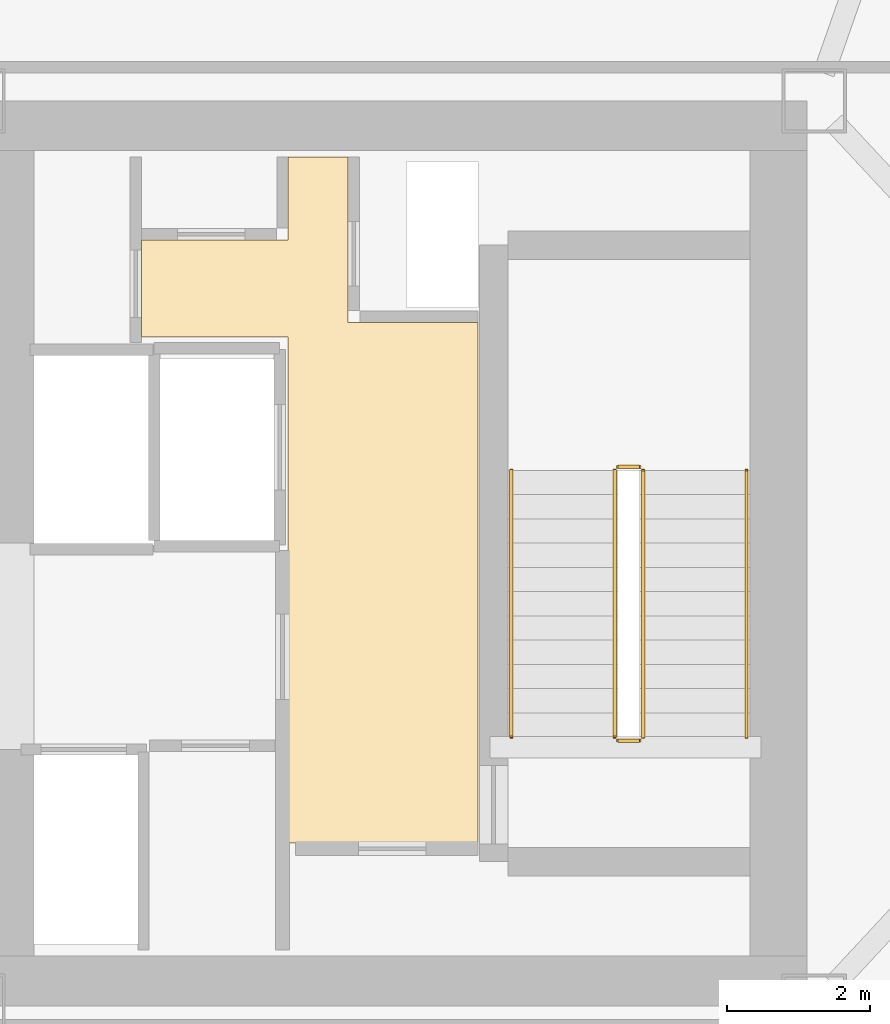
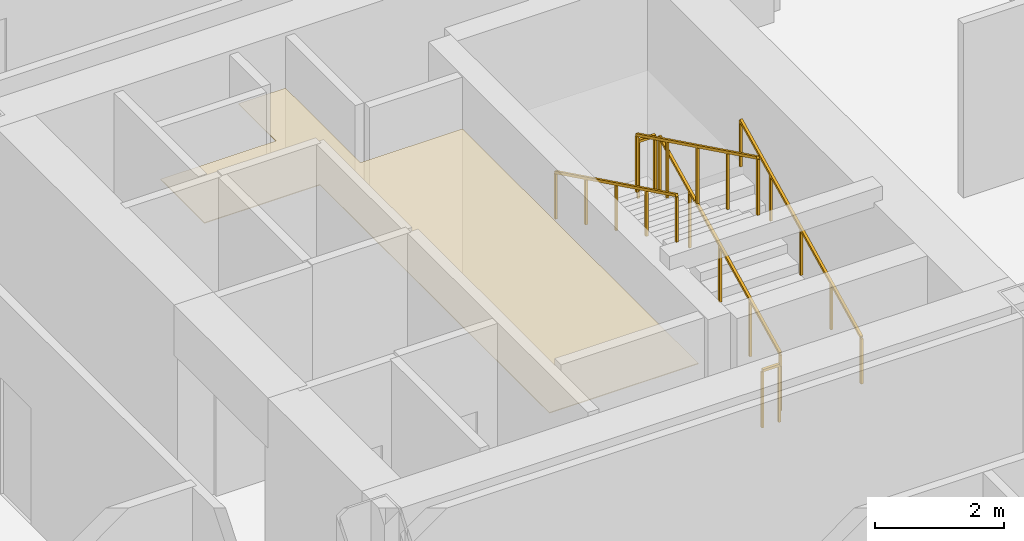
# One storey, part 19 of 19: 6 railings, 1 covering.
"""IFC4 building model written with IfcOpenShell, lengths in metres."""

import ifcopenshell
import ifcopenshell.guid

model = None  # the IFC model being written
_history = None  # IfcOwnerHistory: only IFC2X3 demands one
_inside = {}  # id of a spatial element -> (the spatial element, [elements in it])
_under = {}  # id of a project, library or spatial element -> (it, [spatial elements below it])
_declared = {}  # id of a project -> (the project, [libraries it declares])
_typed = {}  # id of a type object -> (the type object, [elements of that type])
_made_of = {}  # id of a material, layer set ... -> (it, [elements and type objects made of it])


def new_model(schema):
    """Start an empty IFC model of exactly this schema.

    Asked for "IFC4X3", IfcOpenShell would pick the latest addendum, in which some entities
    have other attributes; the version numbers below select the first issue.
    IFC2X3 requires an IfcOwnerHistory on every rooted entity: one is made here for all.
    """
    global model, _history
    if schema == "IFC4X3":
        model = ifcopenshell.file(schema_version=(4, 3, 0, 0))
    else:
        model = ifcopenshell.file(schema=schema)
    _inside.clear()
    _under.clear()
    _declared.clear()
    _typed.clear()
    _made_of.clear()
    _history = None
    if model.schema == "IFC2X3":
        org = make("IfcOrganization", Name="unknown")
        user = make(
            "IfcPersonAndOrganization",
            ThePerson=make("IfcPerson", FamilyName="unknown"),
            TheOrganization=org,
        )
        app = make(
            "IfcApplication",
            ApplicationDeveloper=org,
            Version="unknown",
            ApplicationFullName="unknown",
            ApplicationIdentifier="unknown",
        )
        _history = make(
            "IfcOwnerHistory",
            OwningUser=user,
            OwningApplication=app,
            ChangeAction="ADDED",
            CreationDate=0,
        )
    return model


def make(cls, **values):
    """One entity of the class cls with the attributes given. An attribute that is None is left unset."""
    return model.create_entity(
        cls, **{name: value for name, value in values.items() if value is not None}
    )


def rooted(cls, **values):
    """An entity with a GlobalId (a new one), such as an element, a storey or a relation."""
    return make(cls, GlobalId=ifcopenshell.guid.new(), OwnerHistory=_history, **values)


def si_unit(unit_type, name, prefix=None):
    """IfcSIUnit, for example si_unit("LENGTHUNIT", "METRE", prefix="MILLI")."""
    return make("IfcSIUnit", UnitType=unit_type, Prefix=prefix, Name=name)


def assignment(units):
    """IfcUnitAssignment: the units of a project."""
    return None if units is None else make("IfcUnitAssignment", Units=units)


def point(xyz):
    """IfcCartesianPoint."""
    return None if xyz is None else make("IfcCartesianPoint", Coordinates=xyz)


def direction(xyz):
    """IfcDirection."""
    return None if xyz is None else make("IfcDirection", DirectionRatios=xyz)


def frame(location, z_axis=None, x_axis=None):
    """IfcAxis2Placement3D, a coordinate frame: its origin and axes. An axis left out is left unset."""
    return make(
        "IfcAxis2Placement3D",
        Location=point(location),
        Axis=direction(z_axis),
        RefDirection=direction(x_axis),
    )


def frame_2d(location, x_axis=None):
    """IfcAxis2Placement2D, a coordinate frame in the plane: its origin and x axis."""
    return make(
        "IfcAxis2Placement2D", Location=point(location), RefDirection=direction(x_axis)
    )


def origin():
    """The frame at (0, 0, 0) with its axes left unset."""
    return frame((0.0, 0.0, 0.0))


def origin_2d():
    """The frame at (0, 0) in the plane with its x axis left unset."""
    return frame_2d((0.0, 0.0))


def place(relative_to, where):
    """IfcLocalPlacement: puts the frame where relative to a parent placement (None: the world)."""
    return make(
        "IfcLocalPlacement", PlacementRelTo=relative_to, RelativePlacement=where
    )


def context(
    kind, dimensions, precision=None, world=None, true_north=None, identifier=None
):
    """IfcGeometricRepresentationContext, for example the 3D "Model" context."""
    return make(
        "IfcGeometricRepresentationContext",
        ContextIdentifier=identifier,
        ContextType=kind,
        CoordinateSpaceDimension=dimensions,
        Precision=precision,
        WorldCoordinateSystem=world,
        TrueNorth=true_north,
    )


def subcontext(parent, identifier, kind, view, scale=None):
    """IfcGeometricRepresentationSubContext, for example "Body" below "Model"."""
    return make(
        "IfcGeometricRepresentationSubContext",
        ContextIdentifier=identifier,
        ContextType=kind,
        ParentContext=parent,
        TargetScale=scale,
        TargetView=view,
    )


def project(units=None, contexts=None):
    """IfcProject with its units and contexts."""
    return rooted(
        "IfcProject",
        Name="project",
        RepresentationContexts=contexts,
        UnitsInContext=assignment(units),
    )


def spatial(cls, under=None, at=None, **own):
    """A site, building, storey or space (cls), placed at a placement, below another one or the project."""
    s = rooted(cls, ObjectPlacement=at, **own)
    if under is not None:
        _under.setdefault(under.id(), (under, []))[1].append(s)
    return s


def polyline(points):
    """IfcPolyline through the points."""
    return make("IfcPolyline", Points=[point(p) for p in points])


def profile(cls, at=None, kind="AREA", **sizes):
    """A parametric profile (cls). Its sizes go by their IFC names, for example OverallWidth=200.0."""
    return make(cls, ProfileType=kind, Position=at, **sizes)


def rectangle(**sizes):
    """IfcRectangleProfileDef."""
    return profile("IfcRectangleProfileDef", **sizes)


def outline(outer, holes=None, kind="AREA"):
    """IfcArbitraryClosedProfileDef: a profile drawn as a closed curve; with holes, ...WithVoids."""
    if holes is None:
        return make("IfcArbitraryClosedProfileDef", ProfileType=kind, OuterCurve=outer)
    return make(
        "IfcArbitraryProfileDefWithVoids",
        ProfileType=kind,
        OuterCurve=outer,
        InnerCurves=holes,
    )


def extrude(swept, where, along, depth):
    """IfcExtrudedAreaSolid: the profile swept, set in the frame where, extruded along a direction by depth."""
    return make(
        "IfcExtrudedAreaSolid",
        SweptArea=swept,
        Position=where,
        ExtrudedDirection=direction(along),
        Depth=depth,
    )


def shape(context_of_items, identifier, shape_type, items):
    """IfcShapeRepresentation: the items that make up one representation, for example the "Body"."""
    return make(
        "IfcShapeRepresentation",
        ContextOfItems=context_of_items,
        RepresentationIdentifier=identifier,
        RepresentationType=shape_type,
        Items=items,
    )


def material(Name=None, Category=None):
    """IfcMaterial."""
    return make("IfcMaterial", Name=Name, Category=Category)


def layer(
    of_material, thickness, ventilated=None, Name=None, Category=None, Priority=None
):
    """IfcMaterialLayer: one layer of a wall or slab, of a material (None: an air gap)."""
    return make(
        "IfcMaterialLayer",
        Material=of_material,
        LayerThickness=thickness,
        IsVentilated=ventilated,
        Name=Name,
        Category=Category,
        Priority=Priority,
    )


def layer_set(layers, Name=None):
    """IfcMaterialLayerSet."""
    return make("IfcMaterialLayerSet", MaterialLayers=layers, LayerSetName=Name)


def made_of(thing, what):
    """Note that an element or type object is made of a material, layer set ...; save() writes the relation."""
    if what is not None:
        _made_of.setdefault(what.id(), (what, []))[1].append(thing)
    return thing


def type_object(cls, material=None, **own):
    """A type object (cls), such as IfcWallType, which elements share."""
    return made_of(rooted(cls, **own), material)


def element(
    cls,
    number,
    at=None,
    inside=None,
    cuts=None,
    type_object=None,
    material=None,
    context=None,
    identifier="Body",
    shape_type=None,
    held_by="IfcProductDefinitionShape",
    body=None,
    shapes=None,
    **own,
):
    """One element of the class cls, such as IfcWall. Its Tag is "e" and its number.

    at: its placement. inside: the storey or other place that contains it. cuts: it is an
    opening in that element (IfcRelVoidsElement). A single representation is given by context,
    identifier, shape_type and body (its items); several are given by shapes. held_by: the class
    of the entity that holds the representations. save() writes the other relations.
    """
    e = rooted(cls, Tag="e%d" % number, ObjectPlacement=at, **own)
    if body is not None:
        shapes = [shape(context, identifier, shape_type, body)]
    if shapes is not None:
        e.Representation = make(held_by, Representations=shapes)
    if inside is not None:
        _inside.setdefault(inside.id(), (inside, []))[1].append(e)
    if cuts is not None:
        rooted(
            "IfcRelVoidsElement", RelatingBuildingElement=cuts, RelatedOpeningElement=e
        )
    if type_object is not None:
        _typed.setdefault(type_object.id(), (type_object, []))[1].append(e)
    return made_of(e, material)


def aggregate(whole, parts):
    """IfcRelAggregates: a whole, such as a stair, and the parts it consists of."""
    return rooted("IfcRelAggregates", RelatingObject=whole, RelatedObjects=parts)


def save(model, path):
    """Write the relations noted so far, then the file.

    IfcRelAggregates (storeys below a building ...), IfcRelContainedInSpatialStructure (elements
    in a storey), IfcRelDefinesByType, IfcRelAssociatesMaterial and IfcRelDeclares: one each for
    every whole, place, type object, material and project.
    """
    for whole, parts in _under.values():
        aggregate(whole, parts)
    for where, things in _inside.values():
        rooted(
            "IfcRelContainedInSpatialStructure",
            RelatedElements=things,
            RelatingStructure=where,
        )
    for kind, things in _typed.values():
        rooted("IfcRelDefinesByType", RelatedObjects=things, RelatingType=kind)
    for what, things in _made_of.values():
        rooted("IfcRelAssociatesMaterial", RelatedObjects=things, RelatingMaterial=what)
    for by, libraries in _declared.values():
        rooted("IfcRelDeclares", RelatingContext=by, RelatedDefinitions=libraries)
    model.write(path)


model = new_model("IFC4")

# Units and contexts
model_context = context("Model", 3, precision=1e-05, world=origin(), true_north=direction((0.0, 1.0)))
body_context = subcontext(model_context, "Body", "Model", "MODEL_VIEW")
ifc_project = project(units=[si_unit("LENGTHUNIT", "METRE"), si_unit("AREAUNIT", "SQUARE_METRE"), si_unit("VOLUMEUNIT", "CUBIC_METRE"), si_unit("PLANEANGLEUNIT", "RADIAN"), si_unit("MASSUNIT", "GRAM", prefix="KILO")], contexts=[model_context])

# Site, building, storey
site_placement = place(None, origin())
site = spatial("IfcSite", under=ifc_project, at=site_placement, CompositionType="ELEMENT")
building_placement = place(site_placement, origin())
building = spatial("IfcBuilding", under=site, at=building_placement, Name="Tavrogorsk Clinical Tower", CompositionType="ELEMENT")
storey_placement = place(building_placement, frame((0.0, 0.0, 188.199951171875)))
storey = spatial("IfcBuildingStorey", under=building, at=storey_placement, Name="L43", CompositionType="ELEMENT", Elevation=188.199951171875)

# Covering
ifc_material_1 = material(Name="Antibacterial micro-perforated aluminium ceiling", Category="aluminium")
ifc_layer_1 = layer(ifc_material_1, 0.014892578125)
ifc_layer_set_1 = layer_set([ifc_layer_1], Name="Antibacterial micro-perforated aluminium ceiling")
covering_type = type_object("IfcCoveringType", Name="ClinicalCeiling_15", PredefinedType="CEILING", material=ifc_layer_set_1)
covering_placement = place(storey_placement, frame((0.0, 0.0, 2.75)))
element("IfcCovering", 1, at=covering_placement, inside=storey, type_object=covering_type, Name="Core East Firefighting Lift Lobby Acoustic Ceiling", PredefinedType="CEILING", context=body_context, shape_type="SweptSolid", body=[
    extrude(outline(polyline([(14.719970703125, 3.0400390625), (12.659912109375, 3.0400390625), (12.659912109375, 4.39990234375), (14.719970703125, 4.39990234375), (14.719970703125, 5.56005859375), (15.56005859375, 5.56005859375), (15.56005859375, 3.239990234375), (17.3798828125, 3.239990234375), (17.3798828125, -4.06005859375), (14.719970703125, -4.06005859375), (14.719970703125, 3.0400390625)])), origin(), (0.0, 0.0, 1.0), 0.01513671875),
])

# Railings
ifc_material_2 = material(Name="Galvanised steel S355 safety stairwell guard", Category="steel")
ifc_layer_2 = layer(ifc_material_2, 0.06005859375)
ifc_layer_set_2 = layer_set([ifc_layer_2], Name="Galvanised steel S355 safety stairwell guard")
railing_type_1 = type_object("IfcRailingType", Name="StairGuard_1150", PredefinedType="GUARDRAIL", material=ifc_layer_set_2)
railing_1_placement = place(storey_placement, frame((19.699951171875, -2.574951171875, 0.166748046875)))
element("IfcRailing", 2, at=railing_1_placement, inside=storey, type_object=railing_type_1, Name="L43 ST-E stair guard 1", PredefinedType="GUARDRAIL", context=body_context, shape_type="SweptSolid", body=[
    extrude(rectangle(XDim=0.048095703125, YDim=0.048095703125, at=origin_2d()), frame((0.0, 0.0, 1.076171875), z_axis=(0.0, 0.897927990467, 0.440142390523), x_axis=(-1.0, 0.0, 0.0)), (0.0, 0.0, 1.0), 4.1650390625),
    extrude(rectangle(XDim=0.0419921875, YDim=0.0419921875, at=origin_2d()), origin(), (0.0, 0.0, 1.0), 1.052001953125),
    extrude(rectangle(XDim=0.0419921875, YDim=0.0419921875, at=origin_2d()), frame((0.0, 0.93505859375, 0.458251953125)), (0.0, 0.0, 1.0), 1.052001953125),
    extrude(rectangle(XDim=0.0419921875, YDim=0.0419921875, at=origin_2d()), frame((0.0, 1.8701171875, 0.91650390625)), (0.0, 0.0, 1.0), 1.052001953125),
    extrude(rectangle(XDim=0.0419921875, YDim=0.0419921875, at=origin_2d()), frame((0.0, 2.804931640625, 1.375)), (0.0, 0.0, 1.0), 1.052001953125),
    extrude(rectangle(XDim=0.0419921875, YDim=0.0419921875, at=origin_2d()), frame((0.0, 3.739990234375, 1.833251953125)), (0.0, 0.0, 1.0), 1.052001953125),
])
railing_2_placement = place(storey_placement, frame((19.64990234375, 1.215087890625, 2.0)))
element("IfcRailing", 3, at=railing_2_placement, inside=storey, type_object=railing_type_1, Name="L43 ST-E stair guard 2", PredefinedType="GUARDRAIL", context=body_context, shape_type="SweptSolid", body=[
    extrude(rectangle(XDim=0.048095703125, YDim=0.048095703125, at=origin_2d()), frame((0.0, 0.0, 1.076171875), z_axis=(-1.0, 0.0, 0.0), x_axis=(0.0, -1.0, 0.0)), (0.0, 0.0, 1.0), 0.2998046875),
    extrude(rectangle(XDim=0.0419921875, YDim=0.0419921875, at=origin_2d()), origin(), (0.0, 0.0, 1.0), 1.052001953125),
    extrude(rectangle(XDim=0.0419921875, YDim=0.0419921875, at=origin_2d()), frame((-0.2998046875, 0.0, 0.0)), (0.0, 0.0, 1.0), 1.052001953125),
])
railing_3_placement = place(storey_placement, frame((19.300048828125, 1.1650390625, 2.166748046875)))
element("IfcRailing", 4, at=railing_3_placement, inside=storey, type_object=railing_type_1, Name="L43 ST-E stair guard 3", PredefinedType="GUARDRAIL", context=body_context, shape_type="SweptSolid", body=[
    extrude(rectangle(XDim=0.048095703125, YDim=0.048095703125, at=origin_2d()), frame((0.0, 0.0, 1.076171875), z_axis=(0.0, -0.897927990467, 0.440142390523), x_axis=(1.0, 0.0, 0.0)), (0.0, 0.0, 1.0), 4.1650390625),
    extrude(rectangle(XDim=0.0419921875, YDim=0.0419921875, at=origin_2d()), origin(), (0.0, 0.0, 1.0), 1.052001953125),
    extrude(rectangle(XDim=0.0419921875, YDim=0.0419921875, at=origin_2d()), frame((0.0, -0.93505859375, 0.458251953125)), (0.0, 0.0, 1.0), 1.052001953125),
    extrude(rectangle(XDim=0.0419921875, YDim=0.0419921875, at=origin_2d()), frame((0.0, -1.8701171875, 0.91650390625)), (0.0, 0.0, 1.0), 1.052001953125),
    extrude(rectangle(XDim=0.0419921875, YDim=0.0419921875, at=origin_2d()), frame((0.0, -2.804931640625, 1.375)), (0.0, 0.0, 1.0), 1.052001953125),
    extrude(rectangle(XDim=0.0419921875, YDim=0.0419921875, at=origin_2d()), frame((0.0, -3.739990234375, 1.833251953125)), (0.0, 0.0, 1.0), 1.052001953125),
])
railing_4_placement = place(storey_placement, frame((19.64990234375, -2.625, 0.0)))
element("IfcRailing", 5, at=railing_4_placement, inside=storey, type_object=railing_type_1, Name="L43 ST-E stair guard 4", PredefinedType="GUARDRAIL", context=body_context, shape_type="SweptSolid", body=[
    extrude(rectangle(XDim=0.048095703125, YDim=0.048095703125, at=origin_2d()), frame((0.0, 0.0, 1.076171875), z_axis=(-1.0, 0.0, 0.0), x_axis=(0.0, -1.0, 0.0)), (0.0, 0.0, 1.0), 0.2998046875),
    extrude(rectangle(XDim=0.0419921875, YDim=0.0419921875, at=origin_2d()), origin(), (0.0, 0.0, 1.0), 1.052001953125),
    extrude(rectangle(XDim=0.0419921875, YDim=0.0419921875, at=origin_2d()), frame((-0.2998046875, 0.0, 0.0)), (0.0, 0.0, 1.0), 1.052001953125),
])
ifc_material_3 = material(Name="Stainless steel AISI 304 tubular handrail", Category="steel")
ifc_layer_3 = layer(ifc_material_3, 0.050048828125)
ifc_layer_set_3 = layer_set([ifc_layer_3], Name="Stainless steel AISI 304 tubular handrail")
railing_type_2 = type_object("IfcRailingType", Name="StairHandrail_920", PredefinedType="HANDRAIL", material=ifc_layer_set_3)
railing_5_placement = place(storey_placement, frame((21.14990234375, -2.574951171875, 0.166748046875)))
element("IfcRailing", 6, at=railing_5_placement, inside=storey, type_object=railing_type_2, Name="L43 ST-E stair handrail 1", PredefinedType="HANDRAIL", context=body_context, shape_type="SweptSolid", body=[
    extrude(rectangle(XDim=0.048095703125, YDim=0.048095703125, at=origin_2d()), frame((0.0, 0.0, 0.8759765625), z_axis=(0.0, 0.897927990467, 0.440142390523), x_axis=(-1.0, 0.0, 0.0)), (0.0, 0.0, 1.0), 4.1650390625),
    extrude(rectangle(XDim=0.0419921875, YDim=0.0419921875, at=origin_2d()), origin(), (0.0, 0.0, 1.0), 0.851806640625),
    extrude(rectangle(XDim=0.0419921875, YDim=0.0419921875, at=origin_2d()), frame((0.0, 0.93505859375, 0.458251953125)), (0.0, 0.0, 1.0), 0.851806640625),
    extrude(rectangle(XDim=0.0419921875, YDim=0.0419921875, at=origin_2d()), frame((0.0, 1.8701171875, 0.91650390625)), (0.0, 0.0, 1.0), 0.851806640625),
    extrude(rectangle(XDim=0.0419921875, YDim=0.0419921875, at=origin_2d()), frame((0.0, 2.804931640625, 1.375)), (0.0, 0.0, 1.0), 0.851806640625),
    extrude(rectangle(XDim=0.0419921875, YDim=0.0419921875, at=origin_2d()), frame((0.0, 3.739990234375, 1.833251953125)), (0.0, 0.0, 1.0), 0.851806640625),
])
railing_6_placement = place(storey_placement, frame((17.85009765625, 1.1650390625, 2.166748046875)))
element("IfcRailing", 7, at=railing_6_placement, inside=storey, type_object=railing_type_2, Name="L43 ST-E stair handrail 2", PredefinedType="HANDRAIL", context=body_context, shape_type="SweptSolid", body=[
    extrude(rectangle(XDim=0.048095703125, YDim=0.048095703125, at=origin_2d()), frame((0.0, 0.0, 0.8759765625), z_axis=(0.0, -0.897927990467, 0.440142390523), x_axis=(1.0, 0.0, 0.0)), (0.0, 0.0, 1.0), 4.1650390625),
    extrude(rectangle(XDim=0.0419921875, YDim=0.0419921875, at=origin_2d()), origin(), (0.0, 0.0, 1.0), 0.851806640625),
    extrude(rectangle(XDim=0.0419921875, YDim=0.0419921875, at=origin_2d()), frame((0.0, -0.93505859375, 0.458251953125)), (0.0, 0.0, 1.0), 0.851806640625),
    extrude(rectangle(XDim=0.0419921875, YDim=0.0419921875, at=origin_2d()), frame((0.0, -1.8701171875, 0.91650390625)), (0.0, 0.0, 1.0), 0.851806640625),
    extrude(rectangle(XDim=0.0419921875, YDim=0.0419921875, at=origin_2d()), frame((0.0, -2.804931640625, 1.375)), (0.0, 0.0, 1.0), 0.851806640625),
    extrude(rectangle(XDim=0.0419921875, YDim=0.0419921875, at=origin_2d()), frame((0.0, -3.739990234375, 1.833251953125)), (0.0, 0.0, 1.0), 0.851806640625),
])

save(model, "model.ifc")
